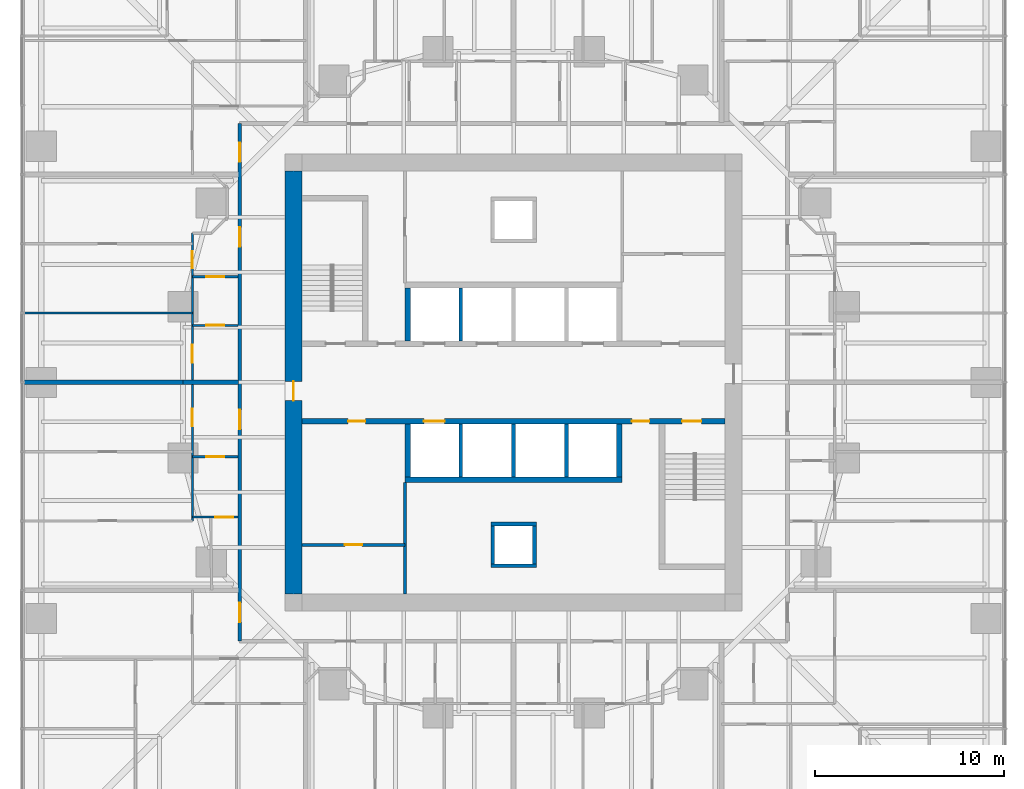
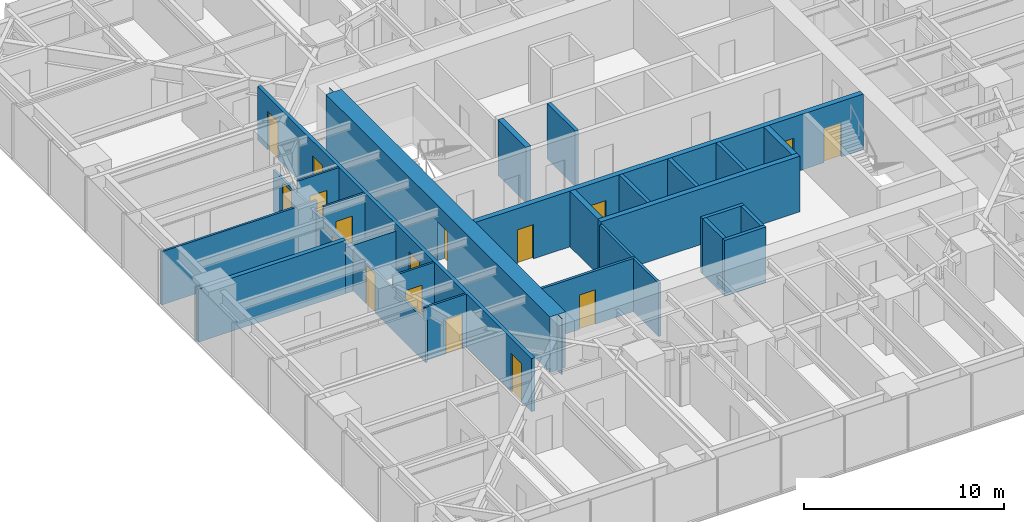
# One storey, part 9 of 17: 25 walls, 17 doors, 17 openings.
"""IFC4 building model written with IfcOpenShell, lengths in metres."""

from ifc_helpers import new_model, si_unit, direction, frame, frame_2d, origin, place, context, subcontext, project, spatial, polyline, rectangle, outline, extrude, material, layer, layer_set, type_object, element, fill, save


model = new_model("IFC4")

# Units and contexts
model_context = context("Model", 3, precision=1e-05, world=origin(), true_north=direction((0.0, 1.0)))
body_context = subcontext(model_context, "Body", "Model", "MODEL_VIEW")
ifc_project = project(units=[si_unit("LENGTHUNIT", "METRE"), si_unit("AREAUNIT", "SQUARE_METRE"), si_unit("VOLUMEUNIT", "CUBIC_METRE"), si_unit("PLANEANGLEUNIT", "RADIAN"), si_unit("MASSUNIT", "GRAM", prefix="KILO")], contexts=[model_context])

# Site, building, storey
site_placement = place(None, origin())
site = spatial("IfcSite", under=ifc_project, at=site_placement, CompositionType="ELEMENT")
building_placement = place(site_placement, origin())
building = spatial("IfcBuilding", under=site, at=building_placement, Name="Torsade Residences", CompositionType="ELEMENT")
storey_placement = place(building_placement, frame((0.0, 0.0, 21.800048828125)))
storey = spatial("IfcBuildingStorey", under=building, at=storey_placement, Name="L05", CompositionType="ELEMENT", Elevation=21.800048828125)

# Wall, openings, doors
ifc_material_1 = material(Name="Concrete 80 MPa", Category="concrete")
ifc_layer_1 = layer(ifc_material_1, 0.300048828125)
ifc_layer_set_1 = layer_set([ifc_layer_1], Name="Concrete 80 MPa")
wall_type_1 = type_object("IfcWallType", Name="CORE INTERNAL WALL 300", PredefinedType="SHEAR", material=ifc_layer_set_1)
wall_1_placement = place(storey_placement, frame((51.199951171875, 27.949951171875, 0.0), z_axis=(0.0, 0.0, 1.0), x_axis=(-1.0, 0.0, 0.0)))
wall_1 = element("IfcWall", 1, at=wall_1_placement, inside=storey, type_object=wall_type_1, Name="Core wall LS L05", PredefinedType="SHEAR", context=body_context, shape_type="SweptSolid", body=[
    extrude(rectangle(XDim=22.39990234375, YDim=0.300048828125, at=frame_2d((11.199951171875, 0.0))), origin(), (0.0, 0.0, 1.0), 3.39990234375),
])
opening_1_placement = place(wall_1_placement, frame((19.0400390625, 0.0, 0.0)))
opening_1 = element("IfcOpeningElement", 2, at=opening_1_placement, cuts=wall_1, Name="Opening D06", PredefinedType="OPENING", context=body_context, shape_type="SweptSolid", body=[
    extrude(rectangle(XDim=0.919921875, YDim=2.10009765625, at=frame_2d((0.4599609375, 1.050048828125))), frame((0.0, 0.159912109375, 0.0), z_axis=(0.0, -1.0, 0.0), x_axis=(1.0, 0.0, 0.0)), (0.0, 0.0, 1.0), 0.320068359375),
])
opening_2_placement = place(wall_1_placement, frame((1.264892578125, 0.0, 0.0)))
opening_2 = element("IfcOpeningElement", 3, at=opening_2_placement, cuts=wall_1, Name="Opening D03", PredefinedType="OPENING", context=body_context, shape_type="SweptSolid", body=[
    extrude(rectangle(XDim=1.02001953125, YDim=2.10009765625, at=frame_2d((0.510009765625, 1.050048828125))), frame((0.0, 0.159912109375, 0.0), z_axis=(0.0, -1.0, 0.0), x_axis=(1.0, 0.0, 0.0)), (0.0, 0.0, 1.0), 0.320068359375),
])
opening_3_placement = place(wall_1_placement, frame((4.014892578125, 0.0, 0.0)))
opening_3 = element("IfcOpeningElement", 4, at=opening_3_placement, cuts=wall_1, Name="Opening D06", PredefinedType="OPENING", context=body_context, shape_type="SweptSolid", body=[
    extrude(rectangle(XDim=0.919921875, YDim=2.10009765625, at=frame_2d((0.4599609375, 1.050048828125))), frame((0.0, 0.159912109375, 0.0), z_axis=(0.0, -1.0, 0.0), x_axis=(1.0, 0.0, 0.0)), (0.0, 0.0, 1.0), 0.320068359375),
])
opening_4_placement = place(wall_1_placement, frame((14.85009765625, 0.0, 0.0)))
opening_4 = element("IfcOpeningElement", 5, at=opening_4_placement, cuts=wall_1, Name="Opening LD", PredefinedType="OPENING", context=body_context, shape_type="SweptSolid", body=[
    extrude(rectangle(XDim=1.10009765625, YDim=2.10009765625, at=frame_2d((0.550048828125, 1.050048828125))), frame((0.0, 0.159912109375, 0.0), z_axis=(0.0, -1.0, 0.0), x_axis=(1.0, 0.0, 0.0)), (0.0, 0.0, 1.0), 0.320068359375),
])
ifc_material_2 = material(Name="Steel-framed fire door", Category="steel")
door_type_1 = type_object("IfcDoorType", Name="FIRE DOOR 1020", OperationType="NOTDEFINED", PredefinedType="DOOR", material=ifc_material_2)
door_1_placement = place(opening_2_placement, origin())
door_1 = element("IfcDoor", 6, at=door_1_placement, inside=storey, type_object=door_type_1, Name="Exit door to fire-isolated stair ST2 L05", OperationType="SINGLE_SWING_RIGHT", OverallHeight=2.10009765625, OverallWidth=1.02001953125, PredefinedType="DOOR", context=body_context, shape_type="SweptSolid", body=[
    extrude(rectangle(XDim=1.02001953125, YDim=2.10009765625, at=frame_2d((0.510009765625, 1.050048828125))), frame((0.0, 0.02490234375, 0.0), z_axis=(0.0, -1.0, 0.0), x_axis=(1.0, 0.0, 0.0)), (0.0, 0.0, 1.0), 0.050048828125),
])
fill(opening_2, door_1)
ifc_material_3 = material(Name="Steel-framed fire door", Category="steel")
door_type_2 = type_object("IfcDoorType", Name="FIRE DOOR 920", OperationType="NOTDEFINED", PredefinedType="DOOR", material=ifc_material_3)
door_2_placement = place(opening_1_placement, origin())
door_2 = element("IfcDoor", 7, at=door_2_placement, inside=storey, type_object=door_type_2, Name="Door Lift lobby to Cleaner store", OperationType="SINGLE_SWING_LEFT", OverallHeight=2.10009765625, OverallWidth=0.919921875, PredefinedType="DOOR", context=body_context, shape_type="SweptSolid", body=[
    extrude(rectangle(XDim=0.919921875, YDim=2.10009765625, at=frame_2d((0.4599609375, 1.050048828125))), frame((0.0, 0.02490234375, 0.0), z_axis=(0.0, -1.0, 0.0), x_axis=(1.0, 0.0, 0.0)), (0.0, 0.0, 1.0), 0.050048828125),
])
fill(opening_1, door_2)
door_3_placement = place(opening_3_placement, origin())
door_3 = element("IfcDoor", 8, at=door_3_placement, inside=storey, type_object=door_type_2, Name="Door Lift lobby to Communications riser room", OperationType="SINGLE_SWING_RIGHT", OverallHeight=2.10009765625, OverallWidth=0.919921875, PredefinedType="DOOR", context=body_context, shape_type="SweptSolid", body=[
    extrude(rectangle(XDim=0.919921875, YDim=2.10009765625, at=frame_2d((0.4599609375, 1.050048828125))), frame((0.0, 0.02490234375, 0.0), z_axis=(0.0, -1.0, 0.0), x_axis=(1.0, 0.0, 0.0)), (0.0, 0.0, 1.0), 0.050048828125),
])
fill(opening_3, door_3)
ifc_material_4 = material(Name="Stainless steel lift landing door", Category="steel")
door_type_3 = type_object("IfcDoorType", Name="LIFT LANDING DOOR 1100", OperationType="SLIDING_TO_LEFT", PredefinedType="DOOR", material=ifc_material_4)
door_4_placement = place(opening_4_placement, origin())
door_4 = element("IfcDoor", 9, at=door_4_placement, inside=storey, type_object=door_type_3, Name="Lift FL2 landing door L05", OperationType="SLIDING_TO_LEFT", OverallHeight=2.10009765625, OverallWidth=1.10009765625, PredefinedType="DOOR", context=body_context, shape_type="SweptSolid", body=[
    extrude(rectangle(XDim=1.10009765625, YDim=2.10009765625, at=frame_2d((0.550048828125, 1.050048828125))), frame((0.0, 0.02490234375, 0.0), z_axis=(0.0, -1.0, 0.0), x_axis=(1.0, 0.0, 0.0)), (0.0, 0.0, 1.0), 0.050048828125),
])
fill(opening_4, door_4)

# Walls
wall_2_placement = place(storey_placement, frame((45.75, 24.85009765625, 0.0), z_axis=(0.0, 0.0, 1.0), x_axis=(-1.0, 0.0, 0.0)))
element("IfcWall", 10, at=wall_2_placement, inside=storey, type_object=wall_type_1, Name="Core wall BS L05", PredefinedType="SHEAR", context=body_context, shape_type="SweptSolid", body=[
    extrude(rectangle(XDim=11.5, YDim=0.300048828125, at=frame_2d((5.75, 0.0))), origin(), (0.0, 0.0, 1.0), 3.39990234375),
])
for number, where, z_axis, x_axis, name in (
    (11, (34.39990234375, 32.199951171875, 0.0), (0.0, 0.0, 1.0), (0.0, 1.0, 0.0), "Core wall DN0 L05"),
    (12, (45.60009765625, 27.800048828125, 0.0), (0.0, 0.0, 1.0), (0.0, -1.0, 0.0), "Core wall DS0 L05"),
    (13, (34.39990234375, 27.800048828125, 0.0), (0.0, 0.0, 1.0), (0.0, -1.0, 0.0), "Core wall DS4 L05"),
):
    element("IfcWall", number, at=place(storey_placement, frame(where, z_axis=z_axis, x_axis=x_axis)), inside=storey, type_object=wall_type_1, Name=name, PredefinedType="SHEAR", context=body_context, shape_type="SweptSolid", body=[
        extrude(rectangle(XDim=2.800048828125, YDim=0.300048828125, at=frame_2d((1.39990234375, 0.0))), origin(), (0.0, 0.0, 1.0), 3.39990234375),
    ])

# Wall, opening, door
ifc_material_5 = material(Name="Concrete 80 MPa", Category="concrete")
ifc_layer_2 = layer(ifc_material_5, 0.89990234375)
ifc_layer_set_2 = layer_set([ifc_layer_2], Name="Concrete 80 MPa")
wall_type_2 = type_object("IfcWallType", Name="CORE WALL 900", PredefinedType="SHEAR", material=ifc_layer_set_2)
wall_3_placement = place(storey_placement, frame((28.35009765625, 41.199951171875, 0.0), z_axis=(0.0, 0.0, 1.0), x_axis=(0.0, -1.0, 0.0)))
wall_3 = element("IfcWall", 14, at=wall_3_placement, inside=storey, type_object=wall_type_2, Name="Core wall W L05", PredefinedType="SHEAR", context=body_context, shape_type="SweptSolid", body=[
    extrude(outline(polyline([(0.0, -0.449951171875), (22.39990234375, -0.449951171875), (22.39990234375, -0.02490234375), (22.849853515625, -0.02490234375), (22.849853515625, 0.02490234375), (22.39990234375, 0.02490234375), (22.39990234375, 0.449951171875), (0.0, 0.449951171875), (0.0, 0.02490234375), (-0.449951171875, 0.02490234375), (-0.449951171875, -0.02490234375), (0.0, -0.02490234375), (0.0, -0.449951171875)])), origin(), (0.0, 0.0, 1.0), 3.39990234375),
])
opening_5_placement = place(wall_3_placement, frame((11.139892578125, 0.0, 0.0)))
opening_5 = element("IfcOpeningElement", 15, at=opening_5_placement, cuts=wall_3, Name="Opening D04", PredefinedType="OPENING", context=body_context, shape_type="SweptSolid", body=[
    extrude(rectangle(XDim=1.02001953125, YDim=2.39990234375, at=frame_2d((0.510009765625, 1.199951171875))), frame((0.0, 0.4599609375, 0.0), z_axis=(0.0, -1.0, 0.0), x_axis=(1.0, 0.0, 0.0)), (0.0, 0.0, 1.0), 0.919921875),
])
ifc_material_6 = material(Name="Steel-framed fire door", Category="steel")
door_type_4 = type_object("IfcDoorType", Name="LOBBY SMOKE DOOR 1020x2400", OperationType="NOTDEFINED", PredefinedType="DOOR", material=ifc_material_6)
door_5_placement = place(opening_5_placement, origin())
door_5 = element("IfcDoor", 16, at=door_5_placement, inside=storey, type_object=door_type_4, Name="Lift lobby door W L05", OperationType="SINGLE_SWING_RIGHT", OverallHeight=2.39990234375, OverallWidth=1.02001953125, PredefinedType="DOOR", context=body_context, shape_type="SweptSolid", body=[
    extrude(rectangle(XDim=1.02001953125, YDim=2.39990234375, at=frame_2d((0.510009765625, 1.199951171875))), frame((0.0, 0.02490234375, 0.0), z_axis=(0.0, -1.0, 0.0), x_axis=(1.0, 0.0, 0.0)), (0.0, 0.0, 1.0), 0.050048828125),
])
fill(opening_5, door_5)

# Wall, openings, doors
ifc_material_7 = material(Name="Plasterboard on steel stud", Category="steel")
ifc_layer_3 = layer(ifc_material_7, 0.199951171875)
ifc_layer_set_3 = layer_set([ifc_layer_3], Name="Plasterboard on steel stud")
wall_type_3 = type_object("IfcWallType", Name="CORRIDOR WALL 200", PredefinedType="PARTITIONING", material=ifc_layer_set_3)
wall_4_placement = place(storey_placement, frame((25.5, 43.699951171875, 0.0), z_axis=(0.0, 0.0, 1.0), x_axis=(0.0, -1.0, 0.0)))
wall_4 = element("IfcWall", 17, at=wall_4_placement, inside=storey, type_object=wall_type_3, Name="Corridor wall L05", PredefinedType="PARTITIONING", context=body_context, shape_type="SweptSolid", body=[
    extrude(rectangle(XDim=27.39990234375, YDim=0.199951171875, at=frame_2d((13.699951171875, 0.0))), origin(), (0.0, 0.0, 1.0), 3.25),
])
opening_6_placement = place(wall_4_placement, frame((5.492919921875, 0.0, 0.0)))
opening_6 = element("IfcOpeningElement", 18, at=opening_6_placement, cuts=wall_4, Name="Opening D01", PredefinedType="OPENING", context=body_context, shape_type="SweptSolid", body=[
    extrude(rectangle(XDim=1.02001953125, YDim=2.340087890625, at=frame_2d((0.510009765625, 1.169921875))), frame((0.0, 0.10986328125, 0.0), z_axis=(0.0, -1.0, 0.0), x_axis=(1.0, 0.0, 0.0)), (0.0, 0.0, 1.0), 0.219970703125),
])
opening_7_placement = place(wall_4_placement, frame((15.16015625, 0.0, 0.0)))
opening_7 = element("IfcOpeningElement", 19, at=opening_7_placement, cuts=wall_4, Name="Opening D01", PredefinedType="OPENING", context=body_context, shape_type="SweptSolid", body=[
    extrude(rectangle(XDim=1.02001953125, YDim=2.340087890625, at=frame_2d((0.510009765625, 1.169921875))), frame((0.0, 0.10986328125, 0.0), z_axis=(0.0, -1.0, 0.0), x_axis=(1.0, 0.0, 0.0)), (0.0, 0.0, 1.0), 0.219970703125),
])
opening_8_placement = place(wall_4_placement, frame((25.364990234375, 0.0, 0.0)))
opening_8 = element("IfcOpeningElement", 20, at=opening_8_placement, cuts=wall_4, Name="Opening D01", PredefinedType="OPENING", context=body_context, shape_type="SweptSolid", body=[
    extrude(rectangle(XDim=1.02001953125, YDim=2.340087890625, at=frame_2d((0.510009765625, 1.169921875))), frame((0.0, 0.10986328125, 0.0), z_axis=(0.0, -1.0, 0.0), x_axis=(1.0, 0.0, 0.0)), (0.0, 0.0, 1.0), 0.219970703125),
])
opening_9_placement = place(wall_4_placement, frame((1.014892578125, 0.0, 0.0)))
opening_9 = element("IfcOpeningElement", 21, at=opening_9_placement, cuts=wall_4, Name="Opening D01", PredefinedType="OPENING", context=body_context, shape_type="SweptSolid", body=[
    extrude(rectangle(XDim=1.02001953125, YDim=2.340087890625, at=frame_2d((0.510009765625, 1.169921875))), frame((0.0, 0.10986328125, 0.0), z_axis=(0.0, -1.0, 0.0), x_axis=(1.0, 0.0, 0.0)), (0.0, 0.0, 1.0), 0.219970703125),
])
ifc_material_8 = material(Name="Solid-core timber fire door", Category="wood")
door_type_5 = type_object("IfcDoorType", Name="APARTMENT ENTRY DOOR 1020x2340", OperationType="NOTDEFINED", PredefinedType="DOOR", material=ifc_material_8)
door_6_placement = place(opening_6_placement, origin())
door_6 = element("IfcDoor", 22, at=door_6_placement, inside=storey, type_object=door_type_5, Name="Door Residential corridor to Kitchen and dining", OperationType="SINGLE_SWING_RIGHT", OverallHeight=2.340087890625, OverallWidth=1.02001953125, PredefinedType="DOOR", context=body_context, shape_type="SweptSolid", body=[
    extrude(rectangle(XDim=1.02001953125, YDim=2.340087890625, at=frame_2d((0.510009765625, 1.169921875))), frame((0.0, 0.02490234375, 0.0), z_axis=(0.0, -1.0, 0.0), x_axis=(1.0, 0.0, 0.0)), (0.0, 0.0, 1.0), 0.050048828125),
])
fill(opening_6, door_6)
door_7_placement = place(opening_7_placement, origin())
door_7 = element("IfcDoor", 23, at=door_7_placement, inside=storey, type_object=door_type_5, Name="Door Residential corridor to Kitchen and dining", OperationType="SINGLE_SWING_RIGHT", OverallHeight=2.340087890625, OverallWidth=1.02001953125, PredefinedType="DOOR", context=body_context, shape_type="SweptSolid", body=[
    extrude(rectangle(XDim=1.02001953125, YDim=2.340087890625, at=frame_2d((0.510009765625, 1.169921875))), frame((0.0, 0.02490234375, 0.0), z_axis=(0.0, -1.0, 0.0), x_axis=(1.0, 0.0, 0.0)), (0.0, 0.0, 1.0), 0.050048828125),
])
fill(opening_7, door_7)
door_8_placement = place(opening_8_placement, origin())
door_8 = element("IfcDoor", 24, at=door_8_placement, inside=storey, type_object=door_type_5, Name="Door Residential corridor to Kitchen and dining", OperationType="SINGLE_SWING_RIGHT", OverallHeight=2.340087890625, OverallWidth=1.02001953125, PredefinedType="DOOR", context=body_context, shape_type="SweptSolid", body=[
    extrude(rectangle(XDim=1.02001953125, YDim=2.340087890625, at=frame_2d((0.510009765625, 1.169921875))), frame((0.0, 0.02490234375, 0.0), z_axis=(0.0, -1.0, 0.0), x_axis=(1.0, 0.0, 0.0)), (0.0, 0.0, 1.0), 0.050048828125),
])
fill(opening_8, door_8)
door_9_placement = place(opening_9_placement, origin())
door_9 = element("IfcDoor", 25, at=door_9_placement, inside=storey, type_object=door_type_5, Name="Door Residential corridor to Kitchen and dining", OperationType="SINGLE_SWING_LEFT", OverallHeight=2.340087890625, OverallWidth=1.02001953125, PredefinedType="DOOR", context=body_context, shape_type="SweptSolid", body=[
    extrude(rectangle(XDim=1.02001953125, YDim=2.340087890625, at=frame_2d((0.510009765625, 1.169921875))), frame((0.0, 0.02490234375, 0.0), z_axis=(0.0, -1.0, 0.0), x_axis=(1.0, 0.0, 0.0)), (0.0, 0.0, 1.0), 0.050048828125),
])
fill(opening_9, door_9)

# Walls
ifc_material_9 = material(Name="Reinforced blockwork", Category="masonry")
ifc_layer_4 = layer(ifc_material_9, 0.199951171875)
ifc_layer_set_4 = layer_set([ifc_layer_4], Name="Reinforced blockwork")
wall_type_4 = type_object("IfcWallType", Name="LIFT SHAFT DIVIDING WALL 200", PredefinedType="SOLIDWALL", material=ifc_layer_set_4)
for number, where, z_axis, x_axis, name in (
    (26, (37.199951171875, 32.199951171875, 0.0), (0.0, 0.0, 1.0), (0.0, 1.0, 0.0), "Core wall DN1 L05"),
    (27, (42.800048828125, 27.800048828125, 0.0), (0.0, 0.0, 1.0), (0.0, -1.0, 0.0), "Core wall DS1 L05"),
    (28, (40.0, 27.800048828125, 0.0), (0.0, 0.0, 1.0), (0.0, -1.0, 0.0), "Core wall DS2 L05"),
    (29, (37.199951171875, 27.800048828125, 0.0), (0.0, 0.0, 1.0), (0.0, -1.0, 0.0), "Core wall DS3 L05"),
):
    element("IfcWall", number, at=place(storey_placement, frame(where, z_axis=z_axis, x_axis=x_axis)), inside=storey, type_object=wall_type_4, Name=name, PredefinedType="SOLIDWALL", context=body_context, shape_type="SweptSolid", body=[
        extrude(rectangle(XDim=2.800048828125, YDim=0.199951171875, at=frame_2d((1.39990234375, 0.0))), origin(), (0.0, 0.0, 1.0), 3.39990234375),
    ])

# Wall, opening, door
ifc_material_10 = material(Name="Plasterboard on steel stud", Category="steel")
ifc_layer_5 = layer(ifc_material_10, 0.1201171875)
ifc_layer_set_5 = layer_set([ifc_layer_5], Name="Plasterboard on steel stud")
wall_type_5 = type_object("IfcWallType", Name="PARTITION 120", PredefinedType="PARTITIONING", material=ifc_layer_set_5)
wall_5_placement = place(storey_placement, frame((25.39990234375, 26.0595703125, 0.0), z_axis=(0.0, 0.0, 1.0), x_axis=(-1.0, 0.0, 0.0)))
wall_5 = element("IfcWall", 30, at=wall_5_placement, inside=storey, type_object=wall_type_5, Name="Partition L05", PredefinedType="PARTITIONING", context=body_context, shape_type="SweptSolid", body=[
    extrude(rectangle(XDim=2.39990234375, YDim=0.1201171875, at=frame_2d((1.199951171875, 0.0))), origin(), (0.0, 0.0, 1.0), 3.25),
])
opening_10_placement = place(wall_5_placement, frame((0.719970703125, 0.0, 0.0)))
opening_10 = element("IfcOpeningElement", 31, at=opening_10_placement, cuts=wall_5, Name="Opening D05", PredefinedType="OPENING", context=body_context, shape_type="SweptSolid", body=[
    extrude(rectangle(XDim=0.9599609375, YDim=2.10009765625, at=frame_2d((0.47998046875, 1.050048828125))), frame((0.0, 0.070068359375, 0.0), z_axis=(0.0, -1.0, 0.0), x_axis=(1.0, 0.0, 0.0)), (0.0, 0.0, 1.0), 0.14013671875),
])
ifc_material_11 = material(Name="Hollow-core timber door in a steel cavity frame", Category="steel")
door_type_6 = type_object("IfcDoorType", Name="BATHROOM CAVITY SLIDING DOOR 960", OperationType="SLIDING_TO_LEFT", PredefinedType="DOOR", material=ifc_material_11)
door_10_placement = place(opening_10_placement, origin())
door_10 = element("IfcDoor", 32, at=door_10_placement, inside=storey, type_object=door_type_6, Name="Door Kitchen and dining to Ensuite", OperationType="SLIDING_TO_LEFT", OverallHeight=2.10009765625, OverallWidth=0.9599609375, PredefinedType="DOOR", context=body_context, shape_type="SweptSolid", body=[
    extrude(rectangle(XDim=0.9599609375, YDim=2.10009765625, at=frame_2d((0.47998046875, 1.050048828125))), frame((0.0, 0.02490234375, 0.0), z_axis=(0.0, -1.0, 0.0), x_axis=(1.0, 0.0, 0.0)), (0.0, 0.0, 1.0), 0.050048828125),
])
fill(opening_10, door_10)

# Wall, openings, doors
wall_6_placement = place(storey_placement, frame((23.0, 22.666748046875, 0.0), z_axis=(0.0, 0.0, 1.0), x_axis=(0.0, 1.0, 0.0)))
wall_6 = element("IfcWall", 33, at=wall_6_placement, inside=storey, type_object=wall_type_5, Name="Partition L05", PredefinedType="PARTITIONING", context=body_context, shape_type="SweptSolid", body=[
    extrude(rectangle(XDim=15.233154296875, YDim=0.1201171875, at=frame_2d((7.61669921875, 0.0))), origin(), (0.0, 0.0, 1.0), 2.549072265625),
])
opening_11_placement = place(wall_6_placement, frame((13.362060546875, 0.0, 0.0)))
opening_11 = element("IfcOpeningElement", 34, at=opening_11_placement, cuts=wall_6, Name="Opening D02", PredefinedType="OPENING", context=body_context, shape_type="SweptSolid", body=[
    extrude(rectangle(XDim=0.919921875, YDim=2.340087890625, at=frame_2d((0.4599609375, 1.169921875))), frame((0.0, 0.070068359375, 0.0), z_axis=(0.0, -1.0, 0.0), x_axis=(1.0, 0.0, 0.0)), (0.0, 0.0, 1.0), 0.14013671875),
])
opening_12_placement = place(wall_6_placement, frame((5.014892578125, 0.0, 0.0)))
opening_12 = element("IfcOpeningElement", 35, at=opening_12_placement, cuts=wall_6, Name="Opening D02", PredefinedType="OPENING", context=body_context, shape_type="SweptSolid", body=[
    extrude(rectangle(XDim=0.919921875, YDim=2.340087890625, at=frame_2d((0.4599609375, 1.169921875))), frame((0.0, 0.070068359375, 0.0), z_axis=(0.0, -1.0, 0.0), x_axis=(1.0, 0.0, 0.0)), (0.0, 0.0, 1.0), 0.14013671875),
])
opening_13_placement = place(wall_6_placement, frame((8.36181640625, 0.0, 0.0)))
opening_13 = element("IfcOpeningElement", 36, at=opening_13_placement, cuts=wall_6, Name="Opening D05", PredefinedType="OPENING", context=body_context, shape_type="SweptSolid", body=[
    extrude(rectangle(XDim=0.9599609375, YDim=2.10009765625, at=frame_2d((0.47998046875, 1.050048828125))), frame((0.0, 0.070068359375, 0.0), z_axis=(0.0, -1.0, 0.0), x_axis=(1.0, 0.0, 0.0)), (0.0, 0.0, 1.0), 0.14013671875),
])
door_11_placement = place(opening_13_placement, origin())
door_11 = element("IfcDoor", 37, at=door_11_placement, inside=storey, type_object=door_type_6, Name="Door Bathroom to Bedroom 1", OperationType="SLIDING_TO_LEFT", OverallHeight=2.10009765625, OverallWidth=0.9599609375, PredefinedType="DOOR", context=body_context, shape_type="SweptSolid", body=[
    extrude(rectangle(XDim=0.9599609375, YDim=2.10009765625, at=frame_2d((0.47998046875, 1.050048828125))), frame((0.0, 0.02490234375, 0.0), z_axis=(0.0, -1.0, 0.0), x_axis=(1.0, 0.0, 0.0)), (0.0, 0.0, 1.0), 0.050048828125),
])
fill(opening_13, door_11)
ifc_material_12 = material(Name="Hollow-core timber door", Category="wood")
door_type_7 = type_object("IfcDoorType", Name="INTERNAL DOOR 920x2340", OperationType="NOTDEFINED", PredefinedType="DOOR", material=ifc_material_12)
door_12_placement = place(opening_11_placement, origin())
door_12 = element("IfcDoor", 38, at=door_12_placement, inside=storey, type_object=door_type_7, Name="Door Kitchen and dining to Bedroom 2", OperationType="SINGLE_SWING_RIGHT", OverallHeight=2.340087890625, OverallWidth=0.919921875, PredefinedType="DOOR", context=body_context, shape_type="SweptSolid", body=[
    extrude(rectangle(XDim=0.919921875, YDim=2.340087890625, at=frame_2d((0.4599609375, 1.169921875))), frame((0.0, 0.02490234375, 0.0), z_axis=(0.0, -1.0, 0.0), x_axis=(1.0, 0.0, 0.0)), (0.0, 0.0, 1.0), 0.050048828125),
])
fill(opening_11, door_12)
door_13_placement = place(opening_12_placement, origin())
door_13 = element("IfcDoor", 39, at=door_13_placement, inside=storey, type_object=door_type_7, Name="Door Kitchen and dining to Living room", OperationType="SINGLE_SWING_LEFT", OverallHeight=2.340087890625, OverallWidth=0.919921875, PredefinedType="DOOR", context=body_context, shape_type="SweptSolid", body=[
    extrude(rectangle(XDim=0.919921875, YDim=2.340087890625, at=frame_2d((0.4599609375, 1.169921875))), frame((0.0, 0.02490234375, 0.0), z_axis=(0.0, -1.0, 0.0), x_axis=(1.0, 0.0, 0.0)), (0.0, 0.0, 1.0), 0.050048828125),
])
fill(opening_12, door_13)

# Wall, opening, door
wall_7_placement = place(storey_placement, frame((23.0, 22.871337890625, 0.0), z_axis=(0.0, 0.0, 1.0), x_axis=(1.0, 0.0, 0.0)))
wall_7 = element("IfcWall", 40, at=wall_7_placement, inside=storey, type_object=wall_type_5, Name="Partition L05", PredefinedType="PARTITIONING", context=body_context, shape_type="SweptSolid", body=[
    extrude(rectangle(XDim=2.39990234375, YDim=0.1201171875, at=frame_2d((1.199951171875, 0.0))), origin(), (0.0, 0.0, 1.0), 3.25),
])
opening_14_placement = place(wall_7_placement, frame((1.2041015625, 0.0, 0.0)))
opening_14 = element("IfcOpeningElement", 41, at=opening_14_placement, cuts=wall_7, Name="Opening D05", PredefinedType="OPENING", context=body_context, shape_type="SweptSolid", body=[
    extrude(rectangle(XDim=0.9599609375, YDim=2.10009765625, at=frame_2d((0.47998046875, 1.050048828125))), frame((0.0, 0.070068359375, 0.0), z_axis=(0.0, -1.0, 0.0), x_axis=(1.0, 0.0, 0.0)), (0.0, 0.0, 1.0), 0.14013671875),
])
door_14_placement = place(opening_14_placement, origin())
door_14 = element("IfcDoor", 42, at=door_14_placement, inside=storey, type_object=door_type_6, Name="Door Ensuite to Bathroom", OperationType="SLIDING_TO_LEFT", OverallHeight=2.10009765625, OverallWidth=0.9599609375, PredefinedType="DOOR", context=body_context, shape_type="SweptSolid", body=[
    extrude(rectangle(XDim=0.9599609375, YDim=2.10009765625, at=frame_2d((0.47998046875, 1.050048828125))), frame((0.0, 0.02490234375, 0.0), z_axis=(0.0, -1.0, 0.0), x_axis=(1.0, 0.0, 0.0)), (0.0, 0.0, 1.0), 0.050048828125),
])
fill(opening_14, door_14)

wall_8_placement = place(storey_placement, frame((25.39990234375, 35.594482421875, 0.0), z_axis=(0.0, 0.0, 1.0), x_axis=(-1.0, 0.0, 0.0)))
wall_8 = element("IfcWall", 43, at=wall_8_placement, inside=storey, type_object=wall_type_5, Name="Partition L05", PredefinedType="PARTITIONING", context=body_context, shape_type="SweptSolid", body=[
    extrude(rectangle(XDim=2.39990234375, YDim=0.1201171875, at=frame_2d((1.199951171875, 0.0))), origin(), (0.0, 0.0, 1.0), 3.25),
])
opening_15_placement = place(wall_8_placement, frame((0.719970703125, 0.0, 0.0)))
opening_15 = element("IfcOpeningElement", 44, at=opening_15_placement, cuts=wall_8, Name="Opening D05", PredefinedType="OPENING", context=body_context, shape_type="SweptSolid", body=[
    extrude(rectangle(XDim=0.9599609375, YDim=2.10009765625, at=frame_2d((0.47998046875, 1.050048828125))), frame((0.0, 0.070068359375, 0.0), z_axis=(0.0, -1.0, 0.0), x_axis=(1.0, 0.0, 0.0)), (0.0, 0.0, 1.0), 0.14013671875),
])
door_15_placement = place(opening_15_placement, origin())
door_15 = element("IfcDoor", 45, at=door_15_placement, inside=storey, type_object=door_type_6, Name="Door Kitchen and dining to Ensuite", OperationType="SLIDING_TO_LEFT", OverallHeight=2.10009765625, OverallWidth=0.9599609375, PredefinedType="DOOR", context=body_context, shape_type="SweptSolid", body=[
    extrude(rectangle(XDim=0.9599609375, YDim=2.10009765625, at=frame_2d((0.47998046875, 1.050048828125))), frame((0.0, 0.02490234375, 0.0), z_axis=(0.0, -1.0, 0.0), x_axis=(1.0, 0.0, 0.0)), (0.0, 0.0, 1.0), 0.050048828125),
])
fill(opening_15, door_15)

wall_9_placement = place(storey_placement, frame((23.0, 33.016845703125, 0.0), z_axis=(0.0, 0.0, 1.0), x_axis=(1.0, 0.0, 0.0)))
wall_9 = element("IfcWall", 46, at=wall_9_placement, inside=storey, type_object=wall_type_5, Name="Partition L05", PredefinedType="PARTITIONING", context=body_context, shape_type="SweptSolid", body=[
    extrude(rectangle(XDim=2.39990234375, YDim=0.1201171875, at=frame_2d((1.199951171875, 0.0))), origin(), (0.0, 0.0, 1.0), 3.25),
])
opening_16_placement = place(wall_9_placement, frame((0.719970703125, 0.0, 0.0)))
opening_16 = element("IfcOpeningElement", 47, at=opening_16_placement, cuts=wall_9, Name="Opening D05", PredefinedType="OPENING", context=body_context, shape_type="SweptSolid", body=[
    extrude(rectangle(XDim=0.9599609375, YDim=2.10009765625, at=frame_2d((0.47998046875, 1.050048828125))), frame((0.0, 0.070068359375, 0.0), z_axis=(0.0, -1.0, 0.0), x_axis=(1.0, 0.0, 0.0)), (0.0, 0.0, 1.0), 0.14013671875),
])
door_16_placement = place(opening_16_placement, origin())
door_16 = element("IfcDoor", 48, at=door_16_placement, inside=storey, type_object=door_type_6, Name="Door Ensuite to Bathroom", OperationType="SLIDING_TO_LEFT", OverallHeight=2.10009765625, OverallWidth=0.9599609375, PredefinedType="DOOR", context=body_context, shape_type="SweptSolid", body=[
    extrude(rectangle(XDim=0.9599609375, YDim=2.10009765625, at=frame_2d((0.47998046875, 1.050048828125))), frame((0.0, 0.02490234375, 0.0), z_axis=(0.0, -1.0, 0.0), x_axis=(1.0, 0.0, 0.0)), (0.0, 0.0, 1.0), 0.050048828125),
])
fill(opening_16, door_16)

# Walls
wall_10_placement = place(storey_placement, frame((14.0400390625, 33.666748046875, 0.0), z_axis=(0.0, 0.0, 1.0), x_axis=(1.0, 0.0, 0.0)))
element("IfcWall", 49, at=wall_10_placement, inside=storey, type_object=wall_type_5, Name="Partition L05", PredefinedType="PARTITIONING", context=body_context, shape_type="SweptSolid", body=[
    extrude(rectangle(XDim=8.9599609375, YDim=0.1201171875, at=frame_2d((4.47998046875, 0.0))), origin(), (0.0, 0.0, 1.0), 3.25),
])
ifc_material_13 = material(Name="Masonry-lined stud party wall", Category="masonry")
ifc_layer_6 = layer(ifc_material_13, 0.25)
ifc_layer_set_6 = layer_set([ifc_layer_6], Name="Masonry-lined stud party wall")
wall_type_6 = type_object("IfcWallType", Name="PARTY WALL 250", PredefinedType="PARTITIONING", material=ifc_layer_set_6)
wall_11_placement = place(storey_placement, frame((14.0, 30.0, 0.0), z_axis=(0.0, 0.0, 1.0), x_axis=(1.0, 0.0, 0.0)))
element("IfcWall", 50, at=wall_11_placement, inside=storey, type_object=wall_type_6, Name="Party wall L05", PredefinedType="PARTITIONING", context=body_context, shape_type="SweptSolid", body=[
    extrude(rectangle(XDim=8.5, YDim=0.25, at=frame_2d((4.25, 0.0))), origin(), (0.0, 0.0, 1.0), 3.25),
])
wall_12_placement = place(storey_placement, frame((22.5, 30.0, 0.0), z_axis=(0.0, 0.0, 1.0), x_axis=(1.0, 0.0, 0.0)))
element("IfcWall", 51, at=wall_12_placement, inside=storey, type_object=wall_type_6, Name="Party wall L05", PredefinedType="PARTITIONING", context=body_context, shape_type="SweptSolid", body=[
    extrude(rectangle(XDim=2.93994140625, YDim=0.25, at=frame_2d((1.469970703125, 0.0))), origin(), (0.0, 0.0, 1.0), 2.7958984375),
])
ifc_material_14 = material(Name="Reinforced blockwork", Category="masonry")
ifc_layer_7 = layer(ifc_material_14, 0.199951171875)
ifc_layer_set_7 = layer_set([ifc_layer_7], Name="Reinforced blockwork")
wall_type_7 = type_object("IfcWallType", Name="RISER SHAFT WALL 200", PredefinedType="SOLIDWALL", material=ifc_layer_set_7)
for number, where, z_axis, x_axis, name in (
    (52, (38.89990234375, 22.39990234375, 0.0), (0.0, 0.0, 1.0), (0.0, -1.0, 0.0), "Core wall RS2a L05"),
    (53, (41.10009765625, 22.39990234375, 0.0), (0.0, 0.0, 1.0), (0.0, -1.0, 0.0), "Core wall RS2b L05"),
):
    element("IfcWall", number, at=place(storey_placement, frame(where, z_axis=z_axis, x_axis=x_axis)), inside=storey, type_object=wall_type_7, Name=name, PredefinedType="SOLIDWALL", context=body_context, shape_type="SweptSolid", body=[
        extrude(rectangle(XDim=2.0, YDim=0.199951171875, at=frame_2d((1.0, 0.0))), origin(), (0.0, 0.0, 1.0), 3.39990234375),
    ])
for number, where, z_axis, x_axis, name in (
    (54, (38.800048828125, 22.5, 0.0), (0.0, 0.0, 1.0), (1.0, 0.0, 0.0), "Core wall RS2c L05"),
    (55, (38.800048828125, 20.300048828125, 0.0), (0.0, 0.0, 1.0), (1.0, 0.0, 0.0), "Core wall RS2d L05"),
):
    element("IfcWall", number, at=place(storey_placement, frame(where, z_axis=z_axis, x_axis=x_axis)), inside=storey, type_object=wall_type_7, Name=name, PredefinedType="SOLIDWALL", context=body_context, shape_type="SweptSolid", body=[
        extrude(rectangle(XDim=2.39990234375, YDim=0.199951171875, at=frame_2d((1.199951171875, 0.0))), origin(), (0.0, 0.0, 1.0), 3.39990234375),
    ])
ifc_material_15 = material(Name="Reinforced blockwork", Category="masonry")
ifc_layer_8 = layer(ifc_material_15, 0.14990234375)
ifc_layer_set_8 = layer_set([ifc_layer_8], Name="Reinforced blockwork")
wall_type_8 = type_object("IfcWallType", Name="SERVICE ROOM WALL 150", PredefinedType="SOLIDWALL", material=ifc_layer_set_8)
wall_13_placement = place(storey_placement, frame((34.25, 18.800048828125, 0.0), z_axis=(0.0, 0.0, 1.0), x_axis=(0.0, 1.0, 0.0)))
element("IfcWall", 56, at=wall_13_placement, inside=storey, type_object=wall_type_8, Name="Service room wall L05", PredefinedType="SOLIDWALL", context=body_context, shape_type="SweptSolid", body=[
    extrude(rectangle(XDim=5.89990234375, YDim=0.14990234375, at=frame_2d((2.949951171875, 0.0))), origin(), (0.0, 0.0, 1.0), 3.25),
])

# Wall, opening, door
wall_14_placement = place(storey_placement, frame((34.25, 21.39990234375, 0.0), z_axis=(0.0, 0.0, 1.0), x_axis=(-1.0, 0.0, 0.0)))
wall_14 = element("IfcWall", 57, at=wall_14_placement, inside=storey, type_object=wall_type_8, Name="Service room wall L05", PredefinedType="SOLIDWALL", context=body_context, shape_type="SweptSolid", body=[
    extrude(rectangle(XDim=5.449951171875, YDim=0.14990234375, at=frame_2d((2.72509765625, 0.0))), origin(), (0.0, 0.0, 1.0), 3.25),
])
opening_17_placement = place(wall_14_placement, frame((2.264892578125, 0.0, 0.0)))
opening_17 = element("IfcOpeningElement", 58, at=opening_17_placement, cuts=wall_14, Name="Opening D06", PredefinedType="OPENING", context=body_context, shape_type="SweptSolid", body=[
    extrude(rectangle(XDim=0.919921875, YDim=2.10009765625, at=frame_2d((0.4599609375, 1.050048828125))), frame((0.0, 0.0849609375, 0.0), z_axis=(0.0, -1.0, 0.0), x_axis=(1.0, 0.0, 0.0)), (0.0, 0.0, 1.0), 0.169921875),
])
door_17_placement = place(opening_17_placement, origin())
door_17 = element("IfcDoor", 59, at=door_17_placement, inside=storey, type_object=door_type_2, Name="Door Cleaner store to Building store", OperationType="SINGLE_SWING_LEFT", OverallHeight=2.10009765625, OverallWidth=0.919921875, PredefinedType="DOOR", context=body_context, shape_type="SweptSolid", body=[
    extrude(rectangle(XDim=0.919921875, YDim=2.10009765625, at=frame_2d((0.4599609375, 1.050048828125))), frame((0.0, 0.02490234375, 0.0), z_axis=(0.0, -1.0, 0.0), x_axis=(1.0, 0.0, 0.0)), (0.0, 0.0, 1.0), 0.050048828125),
])
fill(opening_17, door_17)

save(model, "model.ifc")
